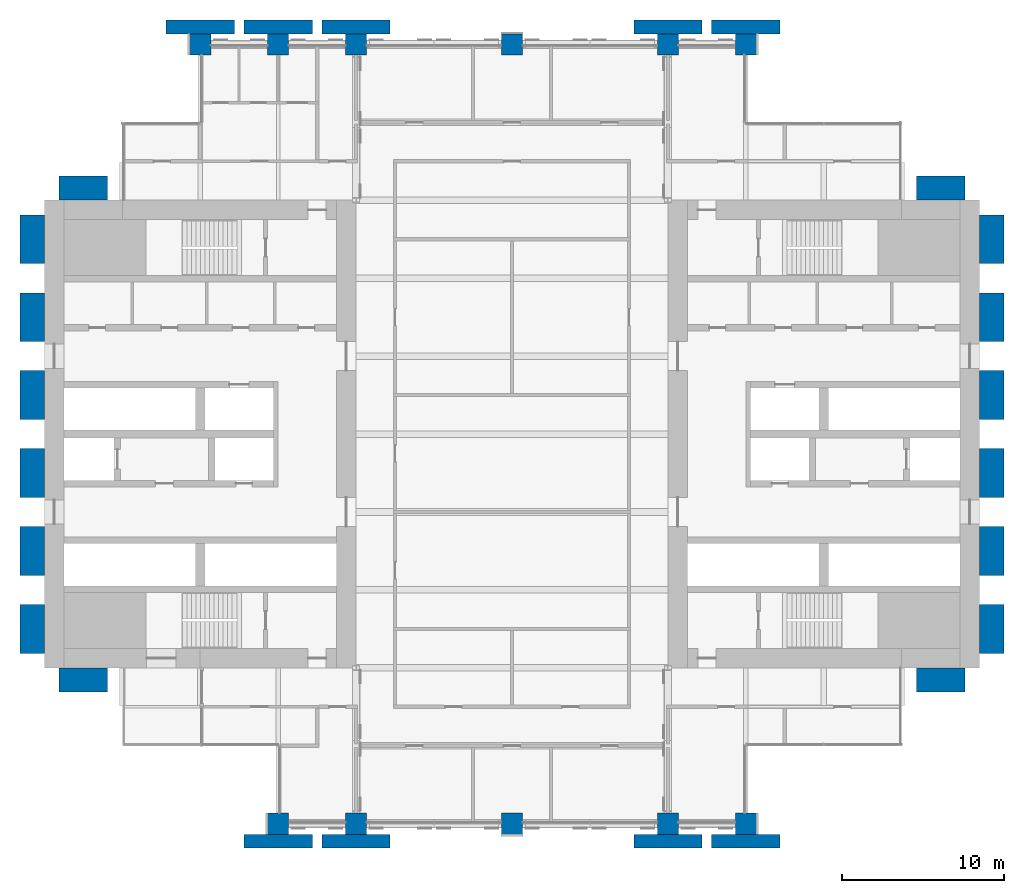
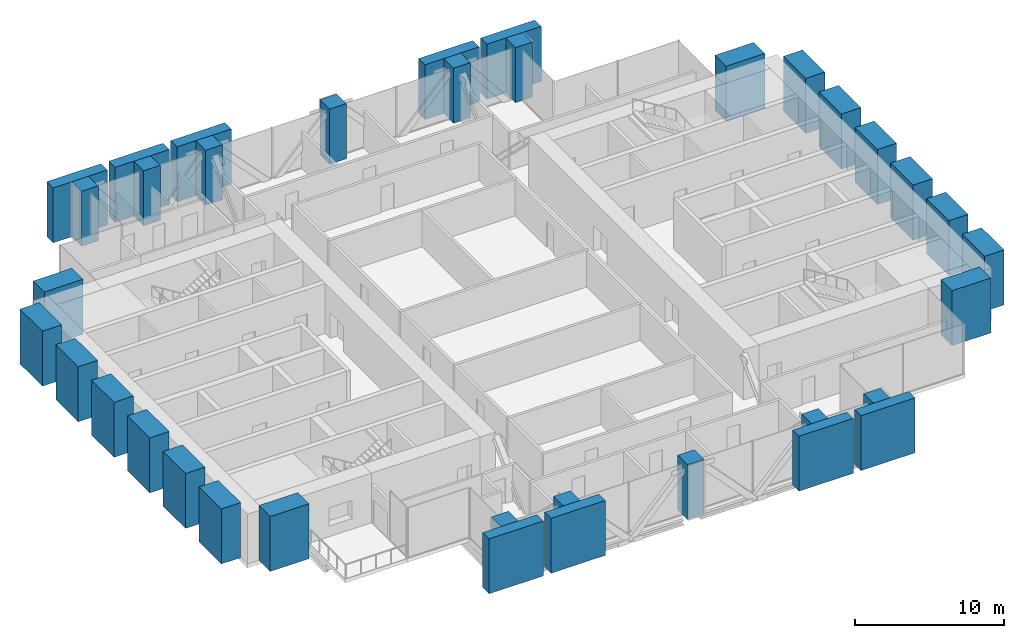
# One storey, part 1 of 15: 36 columns.
"""IFC4 building model written with IfcOpenShell, lengths in metres."""

from ifc_helpers import new_model, si_unit, direction, frame, origin, origin_2d, place, context, subcontext, project, spatial, rectangle, extrude, material, material_profile, profile_set, type_object, element, save


model = new_model("IFC4")

# Units and contexts
model_context = context("Model", 3, precision=1e-05, world=origin(), true_north=direction((0.0, 1.0)))
body_context = subcontext(model_context, "Body", "Model", "MODEL_VIEW")
ifc_project = project(units=[si_unit("LENGTHUNIT", "METRE"), si_unit("AREAUNIT", "SQUARE_METRE"), si_unit("VOLUMEUNIT", "CUBIC_METRE"), si_unit("PLANEANGLEUNIT", "RADIAN"), si_unit("MASSUNIT", "GRAM", prefix="KILO")], contexts=[model_context])

# Site, building, storey
site_placement = place(None, origin())
site = spatial("IfcSite", under=ifc_project, at=site_placement, CompositionType="ELEMENT")
building_placement = place(site_placement, origin())
building = spatial("IfcBuilding", under=site, at=building_placement, Name="Baori Bourse Tower", CompositionType="ELEMENT")
storey_placement = place(building_placement, frame((0.0, 0.0, 87.0)))
storey = spatial("IfcBuildingStorey", under=building, at=storey_placement, Name="L19", CompositionType="ELEMENT", Elevation=87.0)

# Columns
ifc_material_1 = material(Name="Concrete f'c 60 MPa", Category="concrete")
ifc_material_profile_1 = material_profile(ifc_material_1, rectangle(XDim=4.199951171875, YDim=0.85009765625, at=origin_2d()), Name="RC 4200x850")
ifc_profile_set_1 = profile_set([ifc_material_profile_1], Name="Concrete f'c 60 MPa")
column_type_1 = type_object("IfcColumnType", Name="FN3 Brick pilaster 4200x850", PredefinedType="PILASTER", material=ifc_profile_set_1)
for number, where, z_axis, x_axis, name in (
    (1, (14.39990234375, -1.074951171875, 0.0), (0.0, 0.0, 1.0), (1.0, 0.0, 0.0), "Brick pilaster L19 17"),
    (2, (19.199951171875, -1.074951171875, 0.0), (0.0, 0.0, 1.0), (1.0, 0.0, 0.0), "Brick pilaster L19 18"),
    (3, (38.39990234375, -1.074951171875, 0.0), (0.0, 0.0, 1.0), (1.0, 0.0, 0.0), "Brick pilaster L19 19"),
    (4, (43.199951171875, -1.074951171875, 0.0), (0.0, 0.0, 1.0), (1.0, 0.0, 0.0), "Brick pilaster L19 20"),
    (5, (9.60009765625, 49.074951171875, 0.0), (0.0, 0.0, 1.0), (1.0, 0.0, 0.0), "Brick pilaster L19 21"),
    (6, (14.39990234375, 49.074951171875, 0.0), (0.0, 0.0, 1.0), (1.0, 0.0, 0.0), "Brick pilaster L19 22"),
    (7, (19.199951171875, 49.074951171875, 0.0), (0.0, 0.0, 1.0), (1.0, 0.0, 0.0), "Brick pilaster L19 23"),
    (8, (38.39990234375, 49.074951171875, 0.0), (0.0, 0.0, 1.0), (1.0, 0.0, 0.0), "Brick pilaster L19 24"),
    (9, (43.199951171875, 49.074951171875, 0.0), (0.0, 0.0, 1.0), (1.0, 0.0, 0.0), "Brick pilaster L19 25"),
):
    element("IfcColumn", number, at=place(storey_placement, frame(where, z_axis=z_axis, x_axis=x_axis)), inside=storey, type_object=column_type_1, Name=name, PredefinedType="PILASTER", context=body_context, shape_type="SweptSolid", body=[
        extrude(rectangle(XDim=4.199951171875, YDim=0.85009765625, at=origin_2d()), origin(), (0.0, 0.0, 1.0), 4.5),
    ])
ifc_material_2 = material(Name="Concrete f'c 60 MPa", Category="concrete")
ifc_material_profile_2 = material_profile(ifc_material_2, rectangle(XDim=3.0, YDim=1.5, at=origin_2d()), Name="RC 3000x1500")
ifc_profile_set_2 = profile_set([ifc_material_profile_2], Name="Concrete f'c 60 MPa")
column_type_2 = type_object("IfcColumnType", Name="FN4 Brick flank pilaster 3000x1500", PredefinedType="PILASTER", material=ifc_profile_set_2)
for number, where, z_axis, x_axis, name in (
    (10, (55.199951171875, 8.85009765625, 0.0), (0.0, 0.0, 1.0), (1.0, 0.0, 0.0), "Brick pilaster L19 1"),
    (11, (58.35009765625, 12.0, 0.0), (0.0, 0.0, 1.0), (0.0, 1.0, 0.0), "Brick pilaster L19 2"),
    (12, (58.35009765625, 16.800048828125, 0.0), (0.0, 0.0, 1.0), (0.0, 1.0, 0.0), "Brick pilaster L19 3"),
    (13, (58.35009765625, 21.60009765625, 0.0), (0.0, 0.0, 1.0), (0.0, 1.0, 0.0), "Brick pilaster L19 4"),
    (14, (58.35009765625, 26.39990234375, 0.0), (0.0, 0.0, 1.0), (0.0, 1.0, 0.0), "Brick pilaster L19 5"),
    (15, (58.35009765625, 31.199951171875, 0.0), (0.0, 0.0, 1.0), (0.0, 1.0, 0.0), "Brick pilaster L19 6"),
    (16, (58.35009765625, 36.0, 0.0), (0.0, 0.0, 1.0), (0.0, 1.0, 0.0), "Brick pilaster L19 7"),
    (17, (55.199951171875, 39.14990234375, 0.0), (0.0, 0.0, 1.0), (1.0, 0.0, 0.0), "Brick pilaster L19 8"),
    (18, (2.39990234375, 39.14990234375, 0.0), (0.0, 0.0, 1.0), (1.0, 0.0, 0.0), "Brick pilaster L19 9"),
    (19, (-0.75, 12.0, 0.0), (0.0, 0.0, 1.0), (0.0, 1.0, 0.0), "Brick pilaster L19 10"),
    (20, (-0.75, 16.800048828125, 0.0), (0.0, 0.0, 1.0), (0.0, 1.0, 0.0), "Brick pilaster L19 11"),
    (21, (-0.75, 21.60009765625, 0.0), (0.0, 0.0, 1.0), (0.0, 1.0, 0.0), "Brick pilaster L19 12"),
    (22, (-0.75, 26.39990234375, 0.0), (0.0, 0.0, 1.0), (0.0, 1.0, 0.0), "Brick pilaster L19 13"),
    (23, (-0.75, 31.199951171875, 0.0), (0.0, 0.0, 1.0), (0.0, 1.0, 0.0), "Brick pilaster L19 14"),
    (24, (-0.75, 36.0, 0.0), (0.0, 0.0, 1.0), (0.0, 1.0, 0.0), "Brick pilaster L19 15"),
    (25, (2.39990234375, 8.85009765625, 0.0), (0.0, 0.0, 1.0), (1.0, 0.0, 0.0), "Brick pilaster L19 16"),
):
    element("IfcColumn", number, at=place(storey_placement, frame(where, z_axis=z_axis, x_axis=x_axis)), inside=storey, type_object=column_type_2, Name=name, PredefinedType="PILASTER", context=body_context, shape_type="SweptSolid", body=[
        extrude(rectangle(XDim=3.0, YDim=1.5, at=origin_2d()), origin(), (0.0, 0.0, 1.0), 4.5),
    ])
ifc_material_3 = material(Name="Concrete f'c 70 MPa", Category="concrete")
ifc_material_profile_3 = material_profile(ifc_material_3, rectangle(XDim=1.300048828125, YDim=1.300048828125, at=origin_2d()), Name="RC 1300x1300")
ifc_profile_set_3 = profile_set([ifc_material_profile_3], Name="Concrete f'c 70 MPa")
column_type_3 = type_object("IfcColumnType", Name="Perimeter column RC 1300x1300", PredefinedType="COLUMN", material=ifc_profile_set_3)
for number, where, z_axis, x_axis, name in (
    (26, (14.39990234375, 0.0, 0.0), (0.0, 0.0, 1.0), (1.0, 0.0, 0.0), "Perimeter column L19"),
    (27, (19.199951171875, 0.0, 0.0), (0.0, 0.0, 1.0), (1.0, 0.0, 0.0), "Perimeter column L19"),
    (28, (28.800048828125, 0.0, 0.0), (0.0, 0.0, 1.0), (1.0, 0.0, 0.0), "Perimeter column L19"),
    (29, (38.39990234375, 0.0, 0.0), (0.0, 0.0, 1.0), (1.0, 0.0, 0.0), "Perimeter column L19"),
    (30, (43.199951171875, 0.0, 0.0), (0.0, 0.0, 1.0), (1.0, 0.0, 0.0), "Perimeter column L19"),
    (31, (9.60009765625, 48.0, 0.0), (0.0, 0.0, 1.0), (1.0, 0.0, 0.0), "Perimeter column L19"),
    (32, (14.39990234375, 48.0, 0.0), (0.0, 0.0, 1.0), (1.0, 0.0, 0.0), "Perimeter column L19"),
    (33, (19.199951171875, 48.0, 0.0), (0.0, 0.0, 1.0), (1.0, 0.0, 0.0), "Perimeter column L19"),
    (34, (28.800048828125, 48.0, 0.0), (0.0, 0.0, 1.0), (1.0, 0.0, 0.0), "Perimeter column L19"),
    (35, (38.39990234375, 48.0, 0.0), (0.0, 0.0, 1.0), (1.0, 0.0, 0.0), "Perimeter column L19"),
    (36, (43.199951171875, 48.0, 0.0), (0.0, 0.0, 1.0), (1.0, 0.0, 0.0), "Perimeter column L19"),
):
    element("IfcColumn", number, at=place(storey_placement, frame(where, z_axis=z_axis, x_axis=x_axis)), inside=storey, type_object=column_type_3, Name=name, PredefinedType="COLUMN", context=body_context, shape_type="SweptSolid", body=[
        extrude(rectangle(XDim=1.300048828125, YDim=1.300048828125, at=origin_2d()), origin(), (0.0, 0.0, 1.0), 4.5),
    ])

save(model, "model.ifc")
